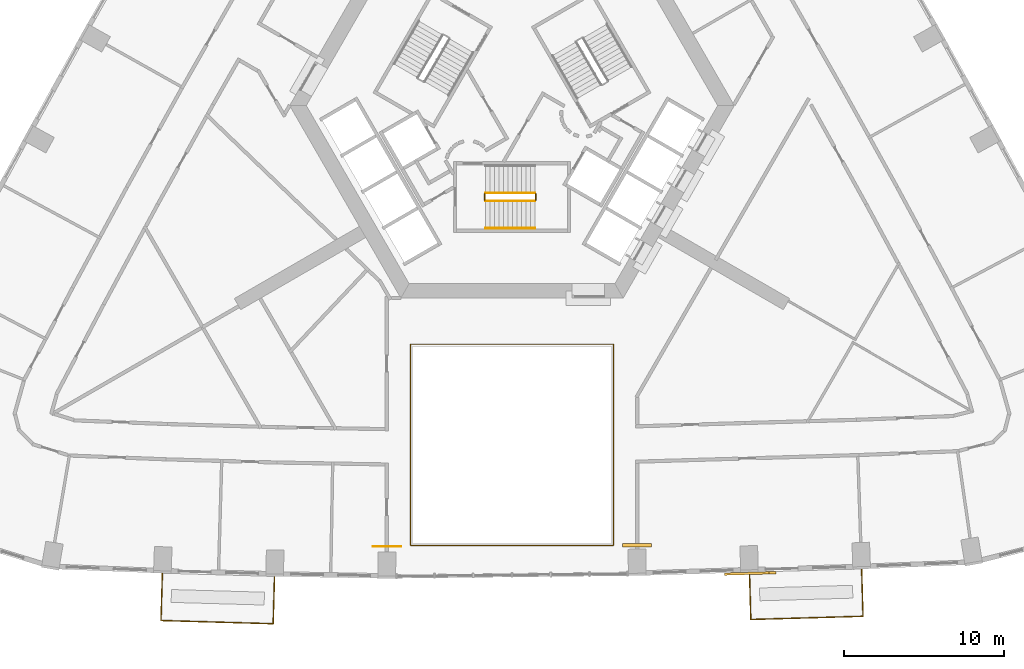
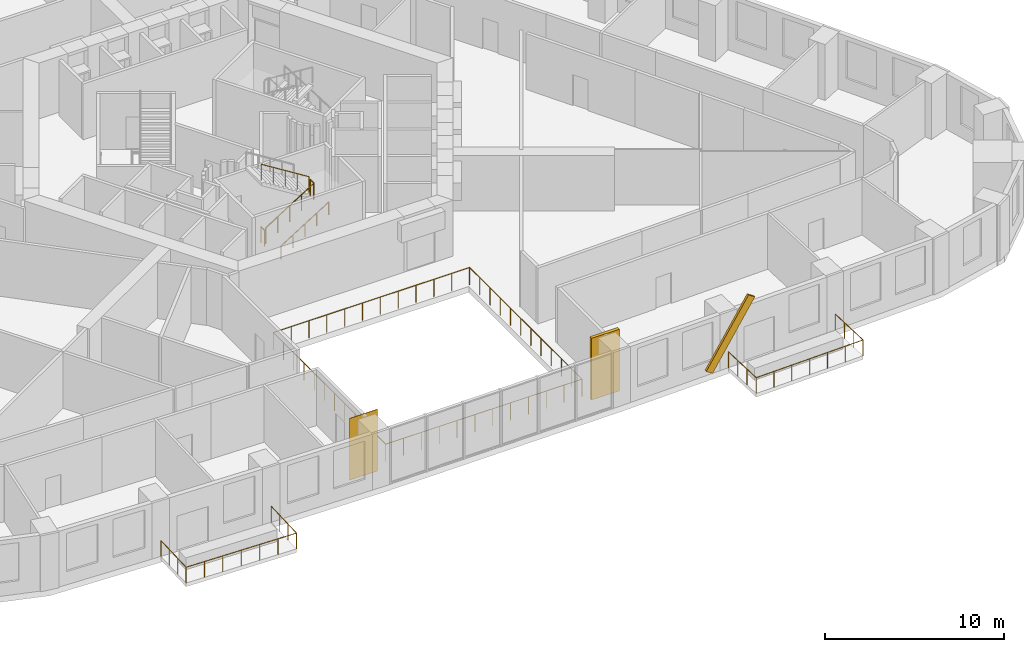
# One storey, part 13 of 14: 8 railings, 2 coverings, 1 shading device.
"""IFC4 building model written with IfcOpenShell, lengths in metres."""

from ifc_helpers import new_model, si_unit, direction, frame, origin, origin_2d, place, context, subcontext, project, spatial, polyline, rectangle, circle, outline, extrude, material, material_profile, profile_set, type_object, element, save


model = new_model("IFC4")

# Units and contexts
model_context = context("Model", 3, precision=1e-05, world=origin(), true_north=direction((0.0, 1.0)))
body_context = subcontext(model_context, "Body", "Model", "MODEL_VIEW")
ifc_project = project(units=[si_unit("LENGTHUNIT", "METRE"), si_unit("AREAUNIT", "SQUARE_METRE"), si_unit("VOLUMEUNIT", "CUBIC_METRE"), si_unit("PLANEANGLEUNIT", "RADIAN"), si_unit("MASSUNIT", "GRAM", prefix="KILO")], contexts=[model_context])

# Site, building, storey
site_placement = place(None, origin())
site = spatial("IfcSite", under=ifc_project, at=site_placement, CompositionType="ELEMENT")
building_placement = place(site_placement, origin())
building = spatial("IfcBuilding", under=site, at=building_placement, Name="Entoto Arch Interchange Tower", CompositionType="ELEMENT")
storey_placement = place(building_placement, frame((0.0, 0.0, 103.39990234375)))
storey = spatial("IfcBuildingStorey", under=building, at=storey_placement, Name="L22", CompositionType="ELEMENT", Elevation=103.39990234375)

# Railing
ifc_material_1 = material(Name="Stainless steel 1.4301", Category="steel")
railing_type_1 = type_object("IfcRailingType", Name="ATRIUM GUARD 1200 STEEL AND GLASS", PredefinedType="GUARDRAIL", material=ifc_material_1)
railing_1_placement = place(storey_placement, frame((6.320068359375, -24.9140625, 0.0)))
element("IfcRailing", 1, at=railing_1_placement, inside=storey, type_object=railing_type_1, Name="Atrium guard L22", PredefinedType="GUARDRAIL", context=body_context, shape_type="SweptSolid", body=[
    extrude(circle(Radius=0.02392578125, at=origin_2d()), frame((0.0, 0.0, 1.17578125), z_axis=(-1.0, 0.0, 0.0), x_axis=(0.0, -1.0, 0.0)), (0.0, 0.0, 1.0), 12.64013671875),
    extrude(circle(Radius=0.02392578125, at=origin_2d()), frame((-12.64013671875, 0.0, 1.17578125), z_axis=(0.0, 1.0, 0.0), x_axis=(-1.0, 0.0, 0.0)), (0.0, 0.0, 1.0), 12.5341796875),
    extrude(circle(Radius=0.02392578125, at=origin_2d()), frame((-12.64013671875, 12.5341796875, 1.17578125), z_axis=(1.0, 0.0, 0.0), x_axis=(0.0, 1.0, 0.0)), (0.0, 0.0, 1.0), 12.64013671875),
    extrude(circle(Radius=0.02392578125, at=origin_2d()), frame((0.0, 12.5341796875, 1.17578125), z_axis=(0.0, -1.0, 0.0), x_axis=(1.0, 0.0, 0.0)), (0.0, 0.0, 1.0), 12.5341796875),
    extrude(circle(Radius=0.02099609375, at=origin_2d()), origin(), (0.0, 0.0, 1.0), 1.15185546875),
    extrude(circle(Radius=0.02099609375, at=origin_2d()), frame((-1.149169921875, 0.0, 0.0)), (0.0, 0.0, 1.0), 1.15185546875),
    extrude(circle(Radius=0.02099609375, at=origin_2d()), frame((-2.298095703125, 0.0, 0.0)), (0.0, 0.0, 1.0), 1.15185546875),
    extrude(circle(Radius=0.02099609375, at=origin_2d()), frame((-3.447265625, 0.0, 0.0)), (0.0, 0.0, 1.0), 1.15185546875),
    extrude(circle(Radius=0.02099609375, at=origin_2d()), frame((-4.596435546875, 0.0, 0.0)), (0.0, 0.0, 1.0), 1.15185546875),
    extrude(circle(Radius=0.02099609375, at=origin_2d()), frame((-5.74560546875, 0.0, 0.0)), (0.0, 0.0, 1.0), 1.15185546875),
    extrude(circle(Radius=0.02099609375, at=origin_2d()), frame((-6.89453125, 0.0, 0.0)), (0.0, 0.0, 1.0), 1.15185546875),
    extrude(circle(Radius=0.02099609375, at=origin_2d()), frame((-8.043701171875, 0.0, 0.0)), (0.0, 0.0, 1.0), 1.15185546875),
    extrude(circle(Radius=0.02099609375, at=origin_2d()), frame((-9.19287109375, 0.0, 0.0)), (0.0, 0.0, 1.0), 1.15185546875),
    extrude(circle(Radius=0.02099609375, at=origin_2d()), frame((-10.342041015625, 0.0, 0.0)), (0.0, 0.0, 1.0), 1.15185546875),
    extrude(circle(Radius=0.02099609375, at=origin_2d()), frame((-11.490966796875, 0.0, 0.0)), (0.0, 0.0, 1.0), 1.15185546875),
    extrude(circle(Radius=0.02099609375, at=origin_2d()), frame((-12.64013671875, 0.0, 0.0)), (0.0, 0.0, 1.0), 1.15185546875),
    extrude(circle(Radius=0.02099609375, at=origin_2d()), frame((-12.64013671875, 1.139404296875, 0.0)), (0.0, 0.0, 1.0), 1.15185546875),
    extrude(circle(Radius=0.02099609375, at=origin_2d()), frame((-12.64013671875, 2.279052734375, 0.0)), (0.0, 0.0, 1.0), 1.15185546875),
    extrude(circle(Radius=0.02099609375, at=origin_2d()), frame((-12.64013671875, 3.41845703125, 0.0)), (0.0, 0.0, 1.0), 1.15185546875),
    extrude(circle(Radius=0.02099609375, at=origin_2d()), frame((-12.64013671875, 4.557861328125, 0.0)), (0.0, 0.0, 1.0), 1.15185546875),
    extrude(circle(Radius=0.02099609375, at=origin_2d()), frame((-12.64013671875, 5.697265625, 0.0)), (0.0, 0.0, 1.0), 1.15185546875),
    extrude(circle(Radius=0.02099609375, at=origin_2d()), frame((-12.64013671875, 6.8369140625, 0.0)), (0.0, 0.0, 1.0), 1.15185546875),
    extrude(circle(Radius=0.02099609375, at=origin_2d()), frame((-12.64013671875, 7.976318359375, 0.0)), (0.0, 0.0, 1.0), 1.15185546875),
    extrude(circle(Radius=0.02099609375, at=origin_2d()), frame((-12.64013671875, 9.11572265625, 0.0)), (0.0, 0.0, 1.0), 1.15185546875),
    extrude(circle(Radius=0.02099609375, at=origin_2d()), frame((-12.64013671875, 10.255126953125, 0.0)), (0.0, 0.0, 1.0), 1.15185546875),
    extrude(circle(Radius=0.02099609375, at=origin_2d()), frame((-12.64013671875, 11.394775390625, 0.0)), (0.0, 0.0, 1.0), 1.15185546875),
    extrude(circle(Radius=0.02099609375, at=origin_2d()), frame((-12.64013671875, 12.5341796875, 0.0)), (0.0, 0.0, 1.0), 1.15185546875),
    extrude(circle(Radius=0.02099609375, at=origin_2d()), frame((-11.490966796875, 12.5341796875, 0.0)), (0.0, 0.0, 1.0), 1.15185546875),
    extrude(circle(Radius=0.02099609375, at=origin_2d()), frame((-10.342041015625, 12.5341796875, 0.0)), (0.0, 0.0, 1.0), 1.15185546875),
    extrude(circle(Radius=0.02099609375, at=origin_2d()), frame((-9.19287109375, 12.5341796875, 0.0)), (0.0, 0.0, 1.0), 1.15185546875),
    extrude(circle(Radius=0.02099609375, at=origin_2d()), frame((-8.043701171875, 12.5341796875, 0.0)), (0.0, 0.0, 1.0), 1.15185546875),
    extrude(circle(Radius=0.02099609375, at=origin_2d()), frame((-6.89453125, 12.5341796875, 0.0)), (0.0, 0.0, 1.0), 1.15185546875),
    extrude(circle(Radius=0.02099609375, at=origin_2d()), frame((-5.74560546875, 12.5341796875, 0.0)), (0.0, 0.0, 1.0), 1.15185546875),
    extrude(circle(Radius=0.02099609375, at=origin_2d()), frame((-4.596435546875, 12.5341796875, 0.0)), (0.0, 0.0, 1.0), 1.15185546875),
    extrude(circle(Radius=0.02099609375, at=origin_2d()), frame((-3.447265625, 12.5341796875, 0.0)), (0.0, 0.0, 1.0), 1.15185546875),
    extrude(circle(Radius=0.02099609375, at=origin_2d()), frame((-2.298095703125, 12.5341796875, 0.0)), (0.0, 0.0, 1.0), 1.15185546875),
    extrude(circle(Radius=0.02099609375, at=origin_2d()), frame((-1.149169921875, 12.5341796875, 0.0)), (0.0, 0.0, 1.0), 1.15185546875),
    extrude(circle(Radius=0.02099609375, at=origin_2d()), frame((0.0, 12.5341796875, 0.0)), (0.0, 0.0, 1.0), 1.15185546875),
    extrude(circle(Radius=0.02099609375, at=origin_2d()), frame((0.0, 11.394775390625, 0.0)), (0.0, 0.0, 1.0), 1.15185546875),
    extrude(circle(Radius=0.02099609375, at=origin_2d()), frame((0.0, 10.255126953125, 0.0)), (0.0, 0.0, 1.0), 1.15185546875),
    extrude(circle(Radius=0.02099609375, at=origin_2d()), frame((0.0, 9.11572265625, 0.0)), (0.0, 0.0, 1.0), 1.15185546875),
    extrude(circle(Radius=0.02099609375, at=origin_2d()), frame((0.0, 7.976318359375, 0.0)), (0.0, 0.0, 1.0), 1.15185546875),
    extrude(circle(Radius=0.02099609375, at=origin_2d()), frame((0.0, 6.8369140625, 0.0)), (0.0, 0.0, 1.0), 1.15185546875),
    extrude(circle(Radius=0.02099609375, at=origin_2d()), frame((0.0, 5.697265625, 0.0)), (0.0, 0.0, 1.0), 1.15185546875),
    extrude(circle(Radius=0.02099609375, at=origin_2d()), frame((0.0, 4.557861328125, 0.0)), (0.0, 0.0, 1.0), 1.15185546875),
    extrude(circle(Radius=0.02099609375, at=origin_2d()), frame((0.0, 3.41845703125, 0.0)), (0.0, 0.0, 1.0), 1.15185546875),
    extrude(circle(Radius=0.02099609375, at=origin_2d()), frame((0.0, 2.279052734375, 0.0)), (0.0, 0.0, 1.0), 1.15185546875),
    extrude(circle(Radius=0.02099609375, at=origin_2d()), frame((0.0, 1.139404296875, 0.0)), (0.0, 0.0, 1.0), 1.15185546875),
])

# Shading device
ifc_material_2 = material(Name="Board-marked precast concrete C50/60", Category="concrete")
ifc_material_profile = material_profile(ifc_material_2, rectangle(XDim=0.14990234375, YDim=0.5, at=origin_2d()))
ifc_profile_set = profile_set([ifc_material_profile], Name="Board-marked precast concrete C50/60")
shading_device_type = type_object("IfcShadingDeviceType", Name="FOLD BAND PRECAST 150x500", PredefinedType="USERDEFINED", material=ifc_profile_set)
shading_device_placement = place(storey_placement, frame((13.45703125, -26.69189453125, 0.25), z_axis=(0.550617771466, 0.015669563012, 0.834610408838), x_axis=(-0.028446633126, 0.999595312646, 0.0)))
element("IfcShadingDevice", 2, at=shading_device_placement, inside=storey, type_object=shading_device_type, Name="Fold band L22", ObjectType="FOLD BAND", PredefinedType="USERDEFINED", context=body_context, shape_type="SweptSolid", body=[
    extrude(rectangle(XDim=0.14990234375, YDim=0.5, at=origin_2d()), origin(), (0.0, 0.0, 1.0), 5.032470703125),
])

# Railings
railing_type_2 = type_object("IfcRailingType", Name="GUARD 1100 STEEL AND GLASS", PredefinedType="GUARDRAIL", material=ifc_material_1)
railing_2_placement = place(storey_placement, frame((-21.7890625, -26.64208984375, 0.0)))
element("IfcRailing", 3, at=railing_2_placement, inside=storey, type_object=railing_type_2, Name="Balcony guard S-02 L22", PredefinedType="GUARDRAIL", context=body_context, shape_type="SweptSolid", body=[
    extrude(circle(Radius=0.02392578125, at=origin_2d()), frame((0.0, 0.0, 1.076171875), z_axis=(-0.028798382624, -0.999585240566, 0.0), x_axis=(0.999585240566, -0.028798382624, 0.0)), (0.0, 0.0, 1.0), 2.9501953125),
    extrude(circle(Radius=0.02392578125, at=origin_2d()), frame((-0.0849609375, -2.948974609375, 1.076171875), z_axis=(0.999587605995, -0.028716161677, 0.0), x_axis=(0.028716161677, 0.999587605995, 0.0)), (0.0, 0.0, 1.0), 6.9970703125),
    extrude(circle(Radius=0.02392578125, at=origin_2d()), frame((6.9091796875, -3.14990234375, 1.076171875), z_axis=(0.028798382624, 0.999585240566, 0.0), x_axis=(-0.999585240566, 0.028798382624, 0.0)), (0.0, 0.0, 1.0), 2.9501953125),
    extrude(circle(Radius=0.02099609375, at=origin_2d()), origin(), (0.0, 0.0, 1.0), 1.052001953125),
    extrude(circle(Radius=0.02099609375, at=origin_2d()), frame((-0.0283203125, -0.98291015625, 0.0)), (0.0, 0.0, 1.0), 1.052001953125),
    extrude(circle(Radius=0.02099609375, at=origin_2d()), frame((-0.056640625, -1.966064453125, 0.0)), (0.0, 0.0, 1.0), 1.052001953125),
    extrude(circle(Radius=0.02099609375, at=origin_2d()), frame((-0.0849609375, -2.948974609375, 0.0)), (0.0, 0.0, 1.0), 1.052001953125),
    extrude(circle(Radius=0.02099609375, at=origin_2d()), frame((1.080810546875, -2.982421875, 0.0)), (0.0, 0.0, 1.0), 1.052001953125),
    extrude(circle(Radius=0.02099609375, at=origin_2d()), frame((2.246337890625, -3.015869140625, 0.0)), (0.0, 0.0, 1.0), 1.052001953125),
    extrude(circle(Radius=0.02099609375, at=origin_2d()), frame((3.412109375, -3.04931640625, 0.0)), (0.0, 0.0, 1.0), 1.052001953125),
    extrude(circle(Radius=0.02099609375, at=origin_2d()), frame((4.577880859375, -3.0830078125, 0.0)), (0.0, 0.0, 1.0), 1.052001953125),
    extrude(circle(Radius=0.02099609375, at=origin_2d()), frame((5.743408203125, -3.116455078125, 0.0)), (0.0, 0.0, 1.0), 1.052001953125),
    extrude(circle(Radius=0.02099609375, at=origin_2d()), frame((6.9091796875, -3.14990234375, 0.0)), (0.0, 0.0, 1.0), 1.052001953125),
    extrude(circle(Radius=0.02099609375, at=origin_2d()), frame((6.9375, -2.1669921875, 0.0)), (0.0, 0.0, 1.0), 1.052001953125),
    extrude(circle(Radius=0.02099609375, at=origin_2d()), frame((6.9658203125, -1.183837890625, 0.0)), (0.0, 0.0, 1.0), 1.052001953125),
    extrude(circle(Radius=0.02099609375, at=origin_2d()), frame((6.994140625, -0.200927734375, 0.0)), (0.0, 0.0, 1.0), 1.052001953125),
])
railing_3_placement = place(storey_placement, frame((14.794921875, -26.5791015625, 0.0)))
element("IfcRailing", 4, at=railing_3_placement, inside=storey, type_object=railing_type_2, Name="Balcony guard S-06 L22", PredefinedType="GUARDRAIL", context=body_context, shape_type="SweptSolid", body=[
    extrude(circle(Radius=0.02392578125, at=origin_2d()), frame((0.0, 0.0, 1.076171875), z_axis=(0.028798382624, -0.999585240566, 0.0), x_axis=(0.999585240566, 0.028798382624, 0.0)), (0.0, 0.0, 1.0), 2.9501953125),
    extrude(circle(Radius=0.02392578125, at=origin_2d()), frame((0.0849609375, -2.948974609375, 1.076171875), z_axis=(0.999586603835, 0.028751024908, 0.0), x_axis=(-0.028751024908, 0.999586603835, 0.0)), (0.0, 0.0, 1.0), 6.9970703125),
    extrude(circle(Radius=0.02392578125, at=origin_2d()), frame((7.0791015625, -2.747802734375, 1.076171875), z_axis=(-0.028798382624, 0.999585240566, 0.0), x_axis=(-0.999585240566, -0.028798382624, 0.0)), (0.0, 0.0, 1.0), 2.9501953125),
    extrude(circle(Radius=0.02099609375, at=origin_2d()), origin(), (0.0, 0.0, 1.0), 1.052001953125),
    extrude(circle(Radius=0.02099609375, at=origin_2d()), frame((0.0283203125, -0.98291015625, 0.0)), (0.0, 0.0, 1.0), 1.052001953125),
    extrude(circle(Radius=0.02099609375, at=origin_2d()), frame((0.056640625, -1.966064453125, 0.0)), (0.0, 0.0, 1.0), 1.052001953125),
    extrude(circle(Radius=0.02099609375, at=origin_2d()), frame((0.0849609375, -2.948974609375, 0.0)), (0.0, 0.0, 1.0), 1.052001953125),
    extrude(circle(Radius=0.02099609375, at=origin_2d()), frame((1.250732421875, -2.91552734375, 0.0)), (0.0, 0.0, 1.0), 1.052001953125),
    extrude(circle(Radius=0.02099609375, at=origin_2d()), frame((2.416259765625, -2.8818359375, 0.0)), (0.0, 0.0, 1.0), 1.052001953125),
    extrude(circle(Radius=0.02099609375, at=origin_2d()), frame((3.58203125, -2.848388671875, 0.0)), (0.0, 0.0, 1.0), 1.052001953125),
    extrude(circle(Radius=0.02099609375, at=origin_2d()), frame((4.747802734375, -2.81494140625, 0.0)), (0.0, 0.0, 1.0), 1.052001953125),
    extrude(circle(Radius=0.02099609375, at=origin_2d()), frame((5.913330078125, -2.78125, 0.0)), (0.0, 0.0, 1.0), 1.052001953125),
    extrude(circle(Radius=0.02099609375, at=origin_2d()), frame((7.0791015625, -2.747802734375, 0.0)), (0.0, 0.0, 1.0), 1.052001953125),
    extrude(circle(Radius=0.02099609375, at=origin_2d()), frame((7.05078125, -1.764892578125, 0.0)), (0.0, 0.0, 1.0), 1.052001953125),
    extrude(circle(Radius=0.02099609375, at=origin_2d()), frame((7.0224609375, -0.78173828125, 0.0)), (0.0, 0.0, 1.0), 1.052001953125),
    extrude(circle(Radius=0.02099609375, at=origin_2d()), frame((6.994140625, 0.201171875, 0.0)), (0.0, 0.0, 1.0), 1.052001953125),
])

# Coverings
covering_type = type_object("IfcCoveringType", Name="PRECAST FRAME COURSE", PredefinedType="CLADDING", material=ifc_material_2)
covering_1_placement = place(storey_placement, frame((0.0, 0.0, -0.39990234375)))
element("IfcCovering", 5, at=covering_1_placement, inside=storey, type_object=covering_type, Name="Gate pier L22", PredefinedType="CLADDING", context=body_context, shape_type="SweptSolid", body=[
    extrude(outline(polyline([(-8.69189453125, -24.966064453125), (-6.89208984375, -24.966064453125), (-6.89208984375, -24.9990234375), (-8.69189453125, -24.9990234375), (-8.69189453125, -24.966064453125)])), origin(), (0.0, 0.0, 1.0), 4.199951171875),
])
covering_2_placement = place(storey_placement, frame((0.0, 0.0, -0.39990234375)))
element("IfcCovering", 6, at=covering_2_placement, inside=storey, type_object=covering_type, Name="Gate pier L22", PredefinedType="CLADDING", context=body_context, shape_type="SweptSolid", body=[
    extrude(outline(polyline([(6.89208984375, -24.7939453125), (8.69189453125, -24.7939453125), (8.69189453125, -24.9990234375), (6.89208984375, -24.9990234375), (6.89208984375, -24.7939453125)])), origin(), (0.0, 0.0, 1.0), 4.199951171875),
])

# Railings
railing_type_3 = type_object("IfcRailingType", Name="STAIR GUARD 1100 STEEL", PredefinedType="GUARDRAIL", material=ifc_material_1)
railing_4_placement = place(storey_placement, frame((-1.64990234375, -3.449951171875, 0.175048828125)))
element("IfcRailing", 7, at=railing_4_placement, inside=storey, type_object=railing_type_3, Name="L22 ST-S stair guard 1", PredefinedType="GUARDRAIL", context=body_context, shape_type="SweptSolid", body=[
    extrude(circle(Radius=0.02392578125, at=origin_2d()), frame((0.0, 0.0, 1.076171875), z_axis=(0.847979421464, 0.0, 0.530029150871), x_axis=(0.0, 1.0, 0.0)), (0.0, 0.0, 1.0), 3.632080078125),
    extrude(circle(Radius=0.02099609375, at=origin_2d()), origin(), (0.0, 0.0, 1.0), 1.052001953125),
    extrude(circle(Radius=0.02099609375, at=origin_2d()), frame((0.77001953125, 0.0, 0.481201171875)), (0.0, 0.0, 1.0), 1.052001953125),
    extrude(circle(Radius=0.02099609375, at=origin_2d()), frame((1.5400390625, 0.0, 0.96240234375)), (0.0, 0.0, 1.0), 1.052001953125),
    extrude(circle(Radius=0.02099609375, at=origin_2d()), frame((2.309814453125, 0.0, 1.44384765625)), (0.0, 0.0, 1.0), 1.052001953125),
    extrude(circle(Radius=0.02099609375, at=origin_2d()), frame((3.079833984375, 0.0, 1.925048828125)), (0.0, 0.0, 1.0), 1.052001953125),
])
railing_5_placement = place(storey_placement, frame((1.47998046875, -3.39990234375, 2.10009765625)))
element("IfcRailing", 8, at=railing_5_placement, inside=storey, type_object=railing_type_3, Name="L22 ST-S stair guard 2", PredefinedType="GUARDRAIL", context=body_context, shape_type="SweptSolid", body=[
    extrude(circle(Radius=0.02392578125, at=origin_2d()), frame((0.0, 0.0, 1.076171875), z_axis=(0.0, 1.0, 0.0), x_axis=(-1.0, 0.0, 0.0)), (0.0, 0.0, 1.0), 0.39990234375),
    extrude(circle(Radius=0.02099609375, at=origin_2d()), origin(), (0.0, 0.0, 1.0), 1.052001953125),
    extrude(circle(Radius=0.02099609375, at=origin_2d()), frame((0.0, 0.39990234375, 0.0)), (0.0, 0.0, 1.0), 1.052001953125),
])
railing_6_placement = place(storey_placement, frame((1.429931640625, -2.949951171875, 2.275146484375)))
element("IfcRailing", 9, at=railing_6_placement, inside=storey, type_object=railing_type_3, Name="L22 ST-S stair guard 3", PredefinedType="GUARDRAIL", context=body_context, shape_type="SweptSolid", body=[
    extrude(circle(Radius=0.02392578125, at=origin_2d()), frame((0.0, 0.0, 1.076171875), z_axis=(-0.847979421464, 0.0, 0.530029150871), x_axis=(0.0, -1.0, 0.0)), (0.0, 0.0, 1.0), 3.632080078125),
    extrude(circle(Radius=0.02099609375, at=origin_2d()), origin(), (0.0, 0.0, 1.0), 1.052001953125),
    extrude(circle(Radius=0.02099609375, at=origin_2d()), frame((-0.77001953125, 0.0, 0.481201171875)), (0.0, 0.0, 1.0), 1.052001953125),
    extrude(circle(Radius=0.02099609375, at=origin_2d()), frame((-1.5400390625, 0.0, 0.96240234375)), (0.0, 0.0, 1.0), 1.052001953125),
    extrude(circle(Radius=0.02099609375, at=origin_2d()), frame((-2.309814453125, 0.0, 1.44384765625)), (0.0, 0.0, 1.0), 1.052001953125),
    extrude(circle(Radius=0.02099609375, at=origin_2d()), frame((-3.079833984375, 0.0, 1.925048828125)), (0.0, 0.0, 1.0), 1.052001953125),
])
railing_7_placement = place(storey_placement, frame((-1.699951171875, -3.39990234375, 0.0)))
element("IfcRailing", 10, at=railing_7_placement, inside=storey, type_object=railing_type_3, Name="L22 ST-S stair guard 4", PredefinedType="GUARDRAIL", context=body_context, shape_type="SweptSolid", body=[
    extrude(circle(Radius=0.02392578125, at=origin_2d()), frame((0.0, 0.0, 1.076171875), z_axis=(0.0, 1.0, 0.0), x_axis=(-1.0, 0.0, 0.0)), (0.0, 0.0, 1.0), 0.39990234375),
    extrude(circle(Radius=0.02099609375, at=origin_2d()), origin(), (0.0, 0.0, 1.0), 1.052001953125),
    extrude(circle(Radius=0.02099609375, at=origin_2d()), frame((0.0, 0.39990234375, 0.0)), (0.0, 0.0, 1.0), 1.052001953125),
])
railing_type_4 = type_object("IfcRailingType", Name="STAIR HANDRAIL 900 STEEL", PredefinedType="HANDRAIL", material=ifc_material_1)
railing_8_placement = place(storey_placement, frame((-1.64990234375, -5.14990234375, 0.175048828125)))
element("IfcRailing", 11, at=railing_8_placement, inside=storey, type_object=railing_type_4, Name="L22 ST-S stair handrail 1", PredefinedType="HANDRAIL", context=body_context, shape_type="SweptSolid", body=[
    extrude(circle(Radius=0.02392578125, at=origin_2d()), frame((0.0, 0.0, 0.8759765625), z_axis=(0.847979421464, 0.0, 0.530029150871), x_axis=(0.0, 1.0, 0.0)), (0.0, 0.0, 1.0), 3.632080078125),
    extrude(circle(Radius=0.02099609375, at=origin_2d()), origin(), (0.0, 0.0, 1.0), 0.851806640625),
    extrude(circle(Radius=0.02099609375, at=origin_2d()), frame((0.77001953125, 0.0, 0.481201171875)), (0.0, 0.0, 1.0), 0.851806640625),
    extrude(circle(Radius=0.02099609375, at=origin_2d()), frame((1.5400390625, 0.0, 0.96240234375)), (0.0, 0.0, 1.0), 0.851806640625),
    extrude(circle(Radius=0.02099609375, at=origin_2d()), frame((2.309814453125, 0.0, 1.44384765625)), (0.0, 0.0, 1.0), 0.851806640625),
    extrude(circle(Radius=0.02099609375, at=origin_2d()), frame((3.079833984375, 0.0, 1.925048828125)), (0.0, 0.0, 1.0), 0.851806640625),
])

save(model, "model.ifc")
